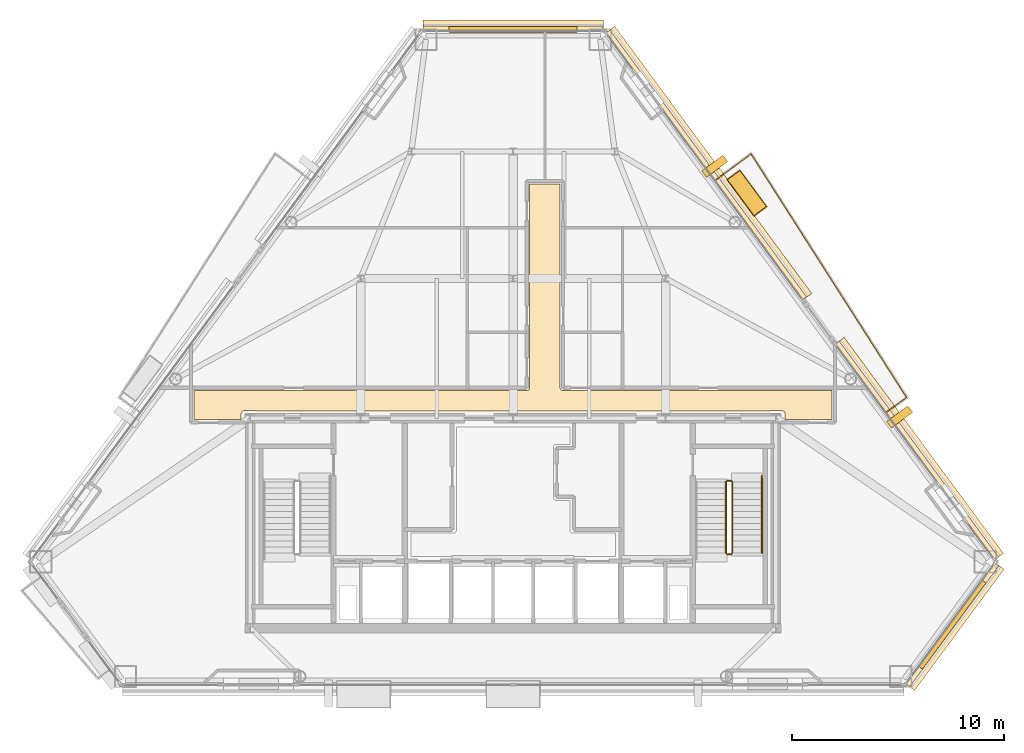
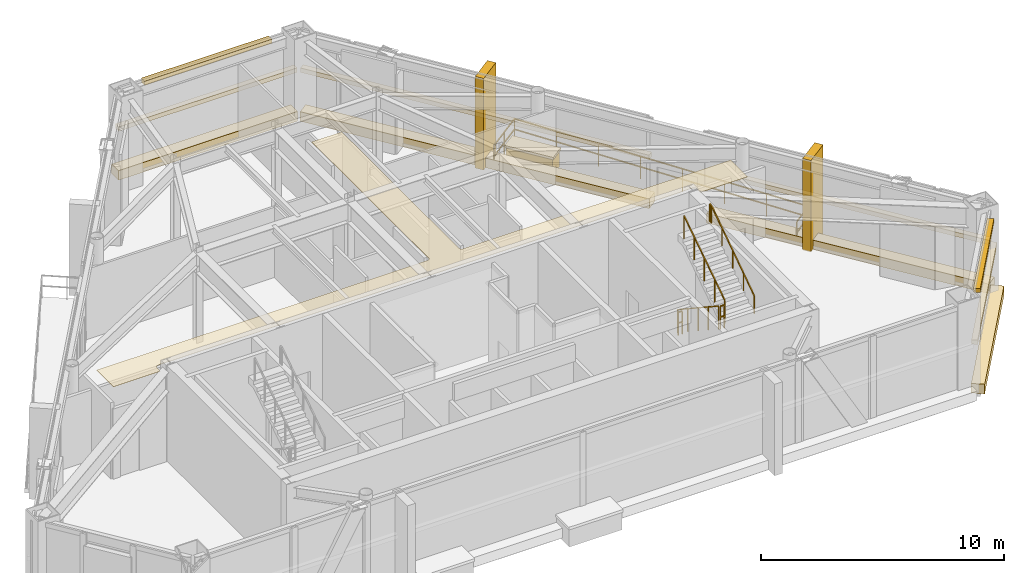
# One storey, part 10 of 10: 13 coverings, 6 railings, 2 shading devices.
"""IFC4 building model written with IfcOpenShell, lengths in metres."""

from ifc_helpers import new_model, si_unit, direction, frame, origin, origin_2d, place, context, subcontext, project, spatial, polyline, rectangle, outline, extrude, source, transform, mapped, material, layer, layer_set, type_object, type_shapes, element, save


model = new_model("IFC4")

# Units and contexts
model_context = context("Model", 3, precision=1e-05, world=origin(), true_north=direction((0.0, 1.0)))
body_context = subcontext(model_context, "Body", "Model", "MODEL_VIEW")
ifc_project = project(units=[si_unit("LENGTHUNIT", "METRE"), si_unit("AREAUNIT", "SQUARE_METRE"), si_unit("VOLUMEUNIT", "CUBIC_METRE"), si_unit("PLANEANGLEUNIT", "RADIAN"), si_unit("MASSUNIT", "GRAM", prefix="KILO")], contexts=[model_context])

# Site, building, storey
site_placement = place(None, origin())
site = spatial("IfcSite", under=ifc_project, at=site_placement, CompositionType="ELEMENT")
building_placement = place(site_placement, origin())
building = spatial("IfcBuilding", under=site, at=building_placement, Name="Talgorran Terracotta Tower", CompositionType="ELEMENT")
storey_placement = place(building_placement, frame((0.0, 0.0, 173.699951171875)))
storey = spatial("IfcBuildingStorey", under=building, at=storey_placement, Name="L45", CompositionType="ELEMENT", Elevation=173.699951171875)

# Coverings
ifc_material_1 = material(Name="Kiln-Fired Terracotta Ochre Ceramic", Category="masonry")
ifc_layer_1 = layer(ifc_material_1, 0.179931640625, Name="COV_BAGUETTE_TERRACOTTA_SCREEN")
ifc_layer_set_1 = layer_set([ifc_layer_1], Name="Kiln-Fired Terracotta Ochre Ceramic")
covering_type_1 = type_object("IfcCoveringType", Name="COV_BAGUETTE_TERRACOTTA_SCREEN", PredefinedType="CLADDING", material=ifc_layer_set_1)
covering_1_placement = place(storey_placement, frame((20.727294921875, -13.937255859375, 2.41015625), z_axis=(0.0, 0.0, 1.0), x_axis=(0.593489124579, 0.804842008724, 0.0)))
element("IfcCovering", 1, at=covering_1_placement, inside=storey, type_object=covering_type_1, Name="L45 Terracotta Baguette Solar Screen Assembly F2", PredefinedType="CLADDING", context=body_context, shape_type="SweptSolid", body=[
    extrude(rectangle(XDim=7.08544921875, YDim=0.260009765625, at=origin_2d()), origin(), (0.0, 0.0, 1.0), 0.219970703125),
])
covering_2_placement = place(storey_placement, frame((19.05126953125, -5.730224609375, 2.41015625), z_axis=(0.0, 0.0, 1.0), x_axis=(-0.593489124579, 0.804842008724, 0.0)))
element("IfcCovering", 2, at=covering_2_placement, inside=storey, type_object=covering_type_1, Name="L45 Terracotta Baguette Solar Screen Assembly F40", PredefinedType="CLADDING", context=body_context, shape_type="SweptSolid", body=[
    extrude(rectangle(XDim=12.65380859375, YDim=0.260009765625, at=origin_2d()), origin(), (0.0, 0.0, 1.0), 0.219970703125),
])
covering_3_placement = place(storey_placement, frame((9.107421875, 7.75439453125, 2.41015625), z_axis=(0.0, 0.0, 1.0), x_axis=(-0.593489124579, 0.804842008724, 0.0)))
element("IfcCovering", 3, at=covering_3_placement, inside=storey, type_object=covering_type_1, Name="L45 Terracotta Baguette Solar Screen Assembly F41", PredefinedType="CLADDING", context=body_context, shape_type="SweptSolid", body=[
    extrude(rectangle(XDim=15.6552734375, YDim=0.260009765625, at=origin_2d()), origin(), (0.0, 0.0, 1.0), 0.219970703125),
])
covering_4_placement = place(storey_placement, frame((0.0, 14.18359375, 2.41015625), z_axis=(0.0, 0.0, 1.0), x_axis=(-1.0, 0.0, 0.0)))
element("IfcCovering", 4, at=covering_4_placement, inside=storey, type_object=covering_type_1, Name="L45 Terracotta Baguette Solar Screen Assembly F4", PredefinedType="CLADDING", context=body_context, shape_type="SweptSolid", body=[
    extrude(rectangle(XDim=8.4921875, YDim=0.260009765625, at=origin_2d()), origin(), (0.0, 0.0, 1.0), 0.219970703125),
])
ifc_material_2 = material(Name="Mineral Fibre Acoustic Tile")
ifc_layer_2 = layer(ifc_material_2, 0.02490234375, Name="COV_CEIL_ACOUSTIC")
ifc_layer_set_2 = layer_set([ifc_layer_2], Name="Mineral Fibre Acoustic Tile")
covering_type_2 = type_object("IfcCoveringType", Name="COV_CEIL_ACOUSTIC", PredefinedType="CEILING", material=ifc_layer_set_2)
covering_5_placement = place(storey_placement, frame((0.0, 0.0, 4.4599609375)))
element("IfcCovering", 5, at=covering_5_placement, inside=storey, type_object=covering_type_2, Name="CEIL-L45-2", PredefinedType="CEILING", context=body_context, shape_type="SweptSolid", body=[
    extrude(outline(polyline([(-12.68798828125, -3.844970703125), (-12.699951171875, -3.844970703125), (-12.711669921875, -3.845703125), (-12.723388671875, -3.847412109375), (-12.734619140625, -3.85009765625), (-12.742919921875, -3.8525390625), (-12.75390625, -3.8564453125), (-12.7646484375, -3.861572265625), (-12.77490234375, -3.86767578125), (-12.7841796875, -3.87451171875), (-12.79296875, -3.882568359375), (-12.80078125, -3.89111328125), (-12.806396484375, -3.89794921875), (-12.813720703125, -3.907470703125), (-12.819580078125, -3.91748046875), (-12.82470703125, -3.927978515625), (-12.82861328125, -3.939208984375), (-12.83154296875, -3.95068359375), (-12.833251953125, -3.962158203125), (-12.833984375, -3.97412109375), (-12.834716796875, -4.264892578125), (-15.06494140625, -4.264892578125), (-15.06494140625, -2.885009765625), (0.64990234375, -2.885009765625), (0.66162109375, -2.884521484375), (0.67333984375, -2.8828125), (0.6845703125, -2.8798828125), (0.69287109375, -2.87744140625), (0.7041015625, -2.87353515625), (0.714599609375, -2.868408203125), (0.724853515625, -2.8623046875), (0.734375, -2.85546875), (0.742919921875, -2.847412109375), (0.7509765625, -2.8388671875), (0.756591796875, -2.83203125), (0.763671875, -2.822509765625), (0.769775390625, -2.8125), (0.774658203125, -2.8017578125), (0.77880859375, -2.79052734375), (0.781494140625, -2.779296875), (0.783203125, -2.767578125), (0.783935546875, -2.755615234375), (0.784912109375, 6.864990234375), (2.215087890625, 6.864990234375), (2.215087890625, -2.75), (2.215576171875, -2.76171875), (2.21728515625, -2.773193359375), (2.22021484375, -2.78466796875), (2.22265625, -2.79296875), (2.2265625, -2.803955078125), (2.231689453125, -2.814697265625), (2.237548828125, -2.82470703125), (2.24462890625, -2.834228515625), (2.25244140625, -2.843017578125), (2.26123046875, -2.850830078125), (2.26806640625, -2.8564453125), (2.277587890625, -2.863525390625), (2.28759765625, -2.86962890625), (2.29833984375, -2.874755859375), (2.309326171875, -2.878662109375), (2.32080078125, -2.881591796875), (2.33251953125, -2.88330078125), (2.34423828125, -2.8837890625), (15.06494140625, -2.885009765625), (15.06494140625, -4.264892578125), (12.8349609375, -4.264892578125), (12.834716796875, -3.97705078125), (12.833984375, -3.96533203125), (12.83251953125, -3.95361328125), (12.82958984375, -3.9423828125), (12.82568359375, -3.931396484375), (12.820556640625, -3.920654296875), (12.81640625, -3.9130859375), (12.810302734375, -3.90283203125), (12.803466796875, -3.893310546875), (12.79541015625, -3.884521484375), (12.78662109375, -3.876708984375), (12.777099609375, -3.86962890625), (12.76708984375, -3.863525390625), (12.75927734375, -3.859375), (12.748779296875, -3.8544921875), (12.73779296875, -3.8505859375), (12.7265625, -3.84765625), (12.715087890625, -3.845947265625), (12.703369140625, -3.84521484375), (12.6884765625, -3.84521484375), (12.6865234375, -3.84423828125), (12.67578125, -3.839111328125), (12.664794921875, -3.835205078125), (12.6533203125, -3.832275390625), (12.641845703125, -3.83056640625), (12.6298828125, -3.830078125), (12.169921875, -3.830078125), (12.158203125, -3.83056640625), (12.146484375, -3.832275390625), (12.13525390625, -3.835205078125), (12.1240234375, -3.839111328125), (12.11328125, -3.84423828125), (12.112060546875, -3.844970703125), (7.432861328125, -3.844970703125), (6.968017578125, -3.843017578125), (6.967529296875, -3.843017578125), (0.232666015625, -3.844970703125), (-0.23193359375, -3.843017578125), (-0.232421875, -3.843017578125), (-6.96728515625, -3.844970703125), (-7.431884765625, -3.843017578125), (-7.4326171875, -3.843017578125), (-12.112060546875, -3.844970703125), (-12.11328125, -3.84423828125), (-12.1240234375, -3.839111328125), (-12.13525390625, -3.835205078125), (-12.146484375, -3.832275390625), (-12.158203125, -3.83056640625), (-12.169921875, -3.830078125), (-12.6298828125, -3.830078125), (-12.641845703125, -3.83056640625), (-12.6533203125, -3.832275390625), (-12.664794921875, -3.835205078125), (-12.67578125, -3.839111328125), (-12.6865234375, -3.84423828125), (-12.68798828125, -3.844970703125)])), origin(), (0.0, 0.0, 1.0), 0.02001953125),
])
ifc_material_3 = material(Name="Honed Limestone and Terracotta Planter", Category="masonry")
ifc_layer_3 = layer(ifc_material_3, 0.1201171875, Name="COV_PLANTER_BOX")
ifc_layer_set_3 = layer_set([ifc_layer_3], Name="Honed Limestone and Terracotta Planter")
covering_type_3 = type_object("IfcCoveringType", Name="COV_PLANTER_BOX", PredefinedType="CLADDING", material=ifc_layer_set_3)
covering_6_placement = place(storey_placement, frame((11.03857421875, 6.43310546875, -0.02001953125), z_axis=(0.0, 0.0, 1.0), x_axis=(-0.593489124579, 0.804842008724, 0.0)))
element("IfcCovering", 6, at=covering_6_placement, inside=storey, type_object=covering_type_3, Name="L45 Staggered Balcony Planter Box BAL-NE", PredefinedType="CLADDING", context=body_context, shape_type="SweptSolid", body=[
    extrude(rectangle(XDim=2.10009765625, YDim=0.719970703125, at=origin_2d()), origin(), (0.0, 0.0, 1.0), 0.860107421875),
])
ifc_material_4 = material(Name="Kiln-Fired Terracotta Planter Rim", Category="masonry")
ifc_layer_4 = layer(ifc_material_4, 0.10009765625, Name="COV_PLANTER_RIM")
ifc_layer_set_4 = layer_set([ifc_layer_4], Name="Kiln-Fired Terracotta Planter Rim")
covering_type_4 = type_object("IfcCoveringType", Name="COV_PLANTER_RIM", PredefinedType="CLADDING", material=ifc_layer_set_4)
covering_7_placement = place(storey_placement, frame((11.03857421875, 6.43310546875, 0.800048828125), z_axis=(0.0, 0.0, 1.0), x_axis=(-0.593489124579, 0.804842008724, 0.0)))
element("IfcCovering", 7, at=covering_7_placement, inside=storey, type_object=covering_type_4, Name="L45 Balcony Planter Terracotta Rim BAL-NE", PredefinedType="CLADDING", context=body_context, shape_type="SweptSolid", body=[
    extrude(rectangle(XDim=2.179931640625, YDim=0.780029296875, at=origin_2d()), origin(), (0.0, 0.0, 1.0), 0.1201171875),
])
ifc_material_5 = material(Name="Honed Limestone Cladding", Category="masonry")
ifc_layer_5 = layer(ifc_material_5, 0.094970703125, Name="COV_PORTAL_LIME")
ifc_layer_set_5 = layer_set([ifc_layer_5], Name="Honed Limestone Cladding")
covering_type_5 = type_object("IfcCoveringType", Name="COV_PORTAL_LIME", PredefinedType="CLADDING", material=ifc_layer_set_5)
covering_8_placement = place(storey_placement, frame((18.24609375, -4.133056640625, -0.050048828125), z_axis=(0.0, 0.0, 1.0), x_axis=(-0.593489124579, 0.804842008724, 0.0)))
element("IfcCovering", 8, at=covering_8_placement, inside=storey, type_object=covering_type_5, Name="L45 White Striped Portal Fin F3-1", PredefinedType="CLADDING", context=body_context, shape_type="SweptSolid", body=[
    extrude(rectangle(XDim=0.3798828125, YDim=1.25, at=origin_2d()), origin(), (0.0, 0.0, 1.0), 4.60009765625),
])
ifc_material_6 = material(Name="Kiln-Fired Terracotta Cladding", Category="masonry")
ifc_layer_6 = layer(ifc_material_6, 0.090087890625, Name="COV_PORTAL_TERRA")
ifc_layer_set_6 = layer_set([ifc_layer_6], Name="Kiln-Fired Terracotta Cladding")
covering_type_6 = type_object("IfcCoveringType", Name="COV_PORTAL_TERRA", PredefinedType="CLADDING", material=ifc_layer_set_6)
covering_9_placement = place(storey_placement, frame((20.840087890625, -14.0205078125, -0.0400390625), z_axis=(0.0, 0.0, 1.0), x_axis=(0.593489124579, 0.804842008724, 0.0)))
element("IfcCovering", 9, at=covering_9_placement, inside=storey, type_object=covering_type_6, Name="L45 Striped Postmodern Portal Cladding Band F2", PredefinedType="CLADDING", context=body_context, shape_type="SweptSolid", body=[
    extrude(rectangle(XDim=7.10546875, YDim=0.56005859375, at=origin_2d()), origin(), (0.0, 0.0, 1.0), 0.47998046875),
])
covering_10_placement = place(storey_placement, frame((19.163818359375, -5.647216796875, -0.0400390625), z_axis=(0.0, 0.0, 1.0), x_axis=(-0.593489124579, 0.804842008724, 0.0)))
element("IfcCovering", 10, at=covering_10_placement, inside=storey, type_object=covering_type_6, Name="L45 Striped Postmodern Portal Cladding Band F40", PredefinedType="CLADDING", context=body_context, shape_type="SweptSolid", body=[
    extrude(rectangle(XDim=12.673583984375, YDim=0.56005859375, at=origin_2d()), origin(), (0.0, 0.0, 1.0), 0.47998046875),
])
covering_11_placement = place(storey_placement, frame((9.22021484375, 7.83740234375, -0.0400390625), z_axis=(0.0, 0.0, 1.0), x_axis=(-0.593489124579, 0.804842008724, 0.0)))
element("IfcCovering", 11, at=covering_11_placement, inside=storey, type_object=covering_type_6, Name="L45 Striped Postmodern Portal Cladding Band F41", PredefinedType="CLADDING", context=body_context, shape_type="SweptSolid", body=[
    extrude(rectangle(XDim=15.67529296875, YDim=0.56005859375, at=origin_2d()), origin(), (0.0, 0.0, 1.0), 0.47998046875),
])
covering_12_placement = place(storey_placement, frame((0.0, 14.323486328125, -0.0400390625), z_axis=(0.0, 0.0, 1.0), x_axis=(-1.0, 0.0, 0.0)))
element("IfcCovering", 12, at=covering_12_placement, inside=storey, type_object=covering_type_6, Name="L45 Striped Postmodern Portal Cladding Band F4", PredefinedType="CLADDING", context=body_context, shape_type="SweptSolid", body=[
    extrude(rectangle(XDim=8.51220703125, YDim=0.56005859375, at=origin_2d()), origin(), (0.0, 0.0, 1.0), 0.47998046875),
])
covering_13_placement = place(storey_placement, frame((9.521240234375, 7.69873046875, -0.050048828125), z_axis=(0.0, 0.0, 1.0), x_axis=(-0.593489124579, 0.804842008724, 0.0)))
element("IfcCovering", 13, at=covering_13_placement, inside=storey, type_object=covering_type_6, Name="L45 Terracotta Striped Portal Fin F3-2", PredefinedType="CLADDING", context=body_context, shape_type="SweptSolid", body=[
    extrude(rectangle(XDim=0.3798828125, YDim=1.25, at=origin_2d()), origin(), (0.0, 0.0, 1.0), 4.60009765625),
])

# Railings
ifc_material_7 = material(Name="Laminated Glass and Stainless Steel 316", Category="steel")
railing_type_1 = type_object("IfcRailingType", Name="RL_BALCONY_1150", PredefinedType="BALUSTRADE", material=ifc_material_7)
railing_1_placement = place(storey_placement, frame((17.6142578125, -3.91650390625, 0.0)))
element("IfcRailing", 14, at=railing_1_placement, inside=storey, type_object=railing_type_1, Name="RL-L45-BAL-BAL-NE", PredefinedType="BALUSTRADE", context=body_context, shape_type="SweptSolid", body=[
    extrude(rectangle(XDim=0.048095703125, YDim=0.048095703125, at=origin_2d()), frame((0.0, 0.0, 1.1259765625), z_axis=(0.804859386829, 0.593465557074, 0.0), x_axis=(-0.593465557074, 0.804859386829, 0.0)), (0.0, 0.0, 1.0), 1.187255859375),
    extrude(rectangle(XDim=0.048095703125, YDim=0.048095703125, at=origin_2d()), frame((0.0, 0.0, 0.597900390625), z_axis=(0.804859386829, 0.593465557074, 0.0), x_axis=(-0.593465557074, 0.804859386829, 0.0)), (0.0, 0.0, 1.0), 1.187255859375),
    extrude(rectangle(XDim=0.048095703125, YDim=0.048095703125, at=origin_2d()), frame((0.95556640625, 0.70458984375, 1.1259765625), z_axis=(-0.538102049263, 0.842879697572, 0.0), x_axis=(-0.842879697572, -0.538102049263, 0.0)), (0.0, 0.0, 1.0), 13.633056640625),
    extrude(rectangle(XDim=0.048095703125, YDim=0.048095703125, at=origin_2d()), frame((0.95556640625, 0.70458984375, 0.597900390625), z_axis=(-0.538102049263, 0.842879697572, 0.0), x_axis=(-0.842879697572, -0.538102049263, 0.0)), (0.0, 0.0, 1.0), 13.633056640625),
    extrude(rectangle(XDim=0.048095703125, YDim=0.048095703125, at=origin_2d()), frame((-6.38037109375, 12.195556640625, 1.1259765625), z_axis=(-0.804877778943, -0.593440612836, 0.0), x_axis=(0.593440612836, -0.804877778943, 0.0)), (0.0, 0.0, 1.0), 2.1025390625),
    extrude(rectangle(XDim=0.048095703125, YDim=0.048095703125, at=origin_2d()), frame((-6.38037109375, 12.195556640625, 0.597900390625), z_axis=(-0.804877778943, -0.593440612836, 0.0), x_axis=(0.593440612836, -0.804877778943, 0.0)), (0.0, 0.0, 1.0), 2.1025390625),
    extrude(rectangle(XDim=0.0419921875, YDim=0.0419921875, at=origin_2d()), origin(), (0.0, 0.0, 1.0), 1.101806640625),
    extrude(rectangle(XDim=0.0419921875, YDim=0.0419921875, at=origin_2d()), frame((0.95556640625, 0.70458984375, 0.0)), (0.0, 0.0, 1.0), 1.101806640625),
    extrude(rectangle(XDim=0.0419921875, YDim=0.0419921875, at=origin_2d()), frame((-0.092529296875, 2.34619140625, 0.0)), (0.0, 0.0, 1.0), 1.101806640625),
    extrude(rectangle(XDim=0.0419921875, YDim=0.0419921875, at=origin_2d()), frame((-1.140380859375, 3.98779296875, 0.0)), (0.0, 0.0, 1.0), 1.101806640625),
    extrude(rectangle(XDim=0.0419921875, YDim=0.0419921875, at=origin_2d()), frame((-2.1884765625, 5.62939453125, 0.0)), (0.0, 0.0, 1.0), 1.101806640625),
    extrude(rectangle(XDim=0.0419921875, YDim=0.0419921875, at=origin_2d()), frame((-3.236328125, 7.270751953125, 0.0)), (0.0, 0.0, 1.0), 1.101806640625),
    extrude(rectangle(XDim=0.0419921875, YDim=0.0419921875, at=origin_2d()), frame((-4.284423828125, 8.912353515625, 0.0)), (0.0, 0.0, 1.0), 1.101806640625),
    extrude(rectangle(XDim=0.0419921875, YDim=0.0419921875, at=origin_2d()), frame((-5.332275390625, 10.553955078125, 0.0)), (0.0, 0.0, 1.0), 1.101806640625),
    extrude(rectangle(XDim=0.0419921875, YDim=0.0419921875, at=origin_2d()), frame((-6.38037109375, 12.195556640625, 0.0)), (0.0, 0.0, 1.0), 1.101806640625),
    extrude(rectangle(XDim=0.0419921875, YDim=0.0419921875, at=origin_2d()), frame((-7.2265625, 11.57177734375, 0.0)), (0.0, 0.0, 1.0), 1.101806640625),
    extrude(rectangle(XDim=0.0419921875, YDim=0.0419921875, at=origin_2d()), frame((-8.07275390625, 10.94775390625, 0.0)), (0.0, 0.0, 1.0), 1.101806640625),
])
ifc_material_8 = material(Name="Steel S355 (300PLUS)", Category="steel")
railing_type_2 = type_object("IfcRailingType", Name="RL_HANDRAIL_920", PredefinedType="HANDRAIL", material=ifc_material_8)
railing_2_placement = place(storey_placement, frame((11.75, -10.56005859375, 2.584716796875)))
element("IfcRailing", 15, at=railing_2_placement, inside=storey, type_object=railing_type_2, Name="L45 ST-02 stair handrail 2", PredefinedType="HANDRAIL", context=body_context, shape_type="SweptSolid", body=[
    extrude(rectangle(XDim=0.048095703125, YDim=0.048095703125, at=origin_2d()), frame((0.0, 0.0, 0.89599609375), z_axis=(0.0, 0.827721979786, 0.561138418021), x_axis=(-1.0, 0.0, 0.0)), (0.0, 0.0, 1.0), 4.27685546875),
    extrude(rectangle(XDim=0.048095703125, YDim=0.048095703125, at=origin_2d()), frame((0.0, 3.5400390625, 3.2958984375), z_axis=(0.0, 1.0, 0.0), x_axis=(-1.0, 0.0, 0.0)), (0.0, 0.0, 1.0), 0.1201171875),
    extrude(rectangle(XDim=0.0419921875, YDim=0.0419921875, at=origin_2d()), origin(), (0.0, 0.0, 1.0), 0.871826171875),
    extrude(rectangle(XDim=0.0419921875, YDim=0.0419921875, at=origin_2d()), frame((0.0, 0.885009765625, 0.60009765625)), (0.0, 0.0, 1.0), 0.871826171875),
    extrude(rectangle(XDim=0.0419921875, YDim=0.0419921875, at=origin_2d()), frame((0.0, 1.77001953125, 1.199951171875)), (0.0, 0.0, 1.0), 0.871826171875),
    extrude(rectangle(XDim=0.0419921875, YDim=0.0419921875, at=origin_2d()), frame((0.0, 2.655029296875, 1.7998046875)), (0.0, 0.0, 1.0), 0.871826171875),
    extrude(rectangle(XDim=0.0419921875, YDim=0.0419921875, at=origin_2d()), frame((0.0, 3.5400390625, 2.39990234375)), (0.0, 0.0, 1.0), 0.871826171875),
    extrude(rectangle(XDim=0.0419921875, YDim=0.0419921875, at=origin_2d()), frame((0.0, 3.66015625, 2.39990234375)), (0.0, 0.0, 1.0), 0.871826171875),
])
railing_type_3 = type_object("IfcRailingType", Name="RL_STAIR_GUARD", PredefinedType="GUARDRAIL", material=ifc_material_8)
railing_3_placement = place(storey_placement, frame((10.050048828125, -7.199951171875, 0.1845703125)))
element("IfcRailing", 16, at=railing_3_placement, inside=storey, type_object=railing_type_3, Name="L45 ST-02 stair guard 1", PredefinedType="GUARDRAIL", context=body_context, shape_type="SweptSolid", body=[
    extrude(rectangle(XDim=0.048095703125, YDim=0.048095703125, at=origin_2d()), frame((0.0, 0.0, 1.15576171875), z_axis=(0.0, -0.834848600103, 0.550479622607), x_axis=(1.0, 0.0, 0.0)), (0.0, 0.0, 1.0), 4.02490234375),
    extrude(rectangle(XDim=0.0419921875, YDim=0.0419921875, at=origin_2d()), origin(), (0.0, 0.0, 1.0), 1.1318359375),
    extrude(rectangle(XDim=0.0419921875, YDim=0.0419921875, at=origin_2d()), frame((0.0, -0.840087890625, 0.553955078125)), (0.0, 0.0, 1.0), 1.1318359375),
    extrude(rectangle(XDim=0.0419921875, YDim=0.0419921875, at=origin_2d()), frame((0.0, -1.68017578125, 1.10791015625)), (0.0, 0.0, 1.0), 1.1318359375),
    extrude(rectangle(XDim=0.0419921875, YDim=0.0419921875, at=origin_2d()), frame((0.0, -2.52001953125, 1.66162109375)), (0.0, 0.0, 1.0), 1.1318359375),
    extrude(rectangle(XDim=0.0419921875, YDim=0.0419921875, at=origin_2d()), frame((0.0, -3.360107421875, 2.215576171875)), (0.0, 0.0, 1.0), 1.1318359375),
])
railing_4_placement = place(storey_placement, frame((10.10009765625, -10.610107421875, 2.400146484375)))
element("IfcRailing", 17, at=railing_4_placement, inside=storey, type_object=railing_type_3, Name="L45 ST-02 stair guard 2", PredefinedType="GUARDRAIL", context=body_context, shape_type="SweptSolid", body=[
    extrude(rectangle(XDim=0.048095703125, YDim=0.048095703125, at=origin_2d()), frame((0.0, 0.0, 1.15576171875), z_axis=(1.0, 0.0, 0.0), x_axis=(0.0, 1.0, 0.0)), (0.0, 0.0, 1.0), 0.199951171875),
    extrude(rectangle(XDim=0.048095703125, YDim=0.048095703125, at=origin_2d()), frame((0.0, 0.0, 0.613525390625), z_axis=(1.0, 0.0, 0.0), x_axis=(0.0, 1.0, 0.0)), (0.0, 0.0, 1.0), 0.199951171875),
    extrude(rectangle(XDim=0.0419921875, YDim=0.0419921875, at=origin_2d()), origin(), (0.0, 0.0, 1.0), 1.1318359375),
    extrude(rectangle(XDim=0.0419921875, YDim=0.0419921875, at=origin_2d()), frame((0.199951171875, 0.0, 0.0)), (0.0, 0.0, 1.0), 1.1318359375),
])
railing_5_placement = place(storey_placement, frame((10.35009765625, -10.56005859375, 2.584716796875)))
element("IfcRailing", 18, at=railing_5_placement, inside=storey, type_object=railing_type_3, Name="L45 ST-02 stair guard 3", PredefinedType="GUARDRAIL", context=body_context, shape_type="SweptSolid", body=[
    extrude(rectangle(XDim=0.048095703125, YDim=0.048095703125, at=origin_2d()), frame((0.0, 0.0, 1.15576171875), z_axis=(0.0, 0.834876476806, 0.550437342915), x_axis=(-1.0, 0.0, 0.0)), (0.0, 0.0, 1.0), 4.024658203125),
    extrude(rectangle(XDim=0.0419921875, YDim=0.0419921875, at=origin_2d()), origin(), (0.0, 0.0, 1.0), 1.1318359375),
    extrude(rectangle(XDim=0.0419921875, YDim=0.0419921875, at=origin_2d()), frame((0.0, 0.840087890625, 0.5537109375)), (0.0, 0.0, 1.0), 1.1318359375),
    extrude(rectangle(XDim=0.0419921875, YDim=0.0419921875, at=origin_2d()), frame((0.0, 1.68017578125, 1.107666015625)), (0.0, 0.0, 1.0), 1.1318359375),
    extrude(rectangle(XDim=0.0419921875, YDim=0.0419921875, at=origin_2d()), frame((0.0, 2.52001953125, 1.66162109375)), (0.0, 0.0, 1.0), 1.1318359375),
    extrude(rectangle(XDim=0.0419921875, YDim=0.0419921875, at=origin_2d()), frame((0.0, 3.360107421875, 2.21533203125)), (0.0, 0.0, 1.0), 1.1318359375),
])
railing_6_placement = place(storey_placement, frame((10.10009765625, -7.14990234375, 0.0)))
element("IfcRailing", 19, at=railing_6_placement, inside=storey, type_object=railing_type_3, Name="L45 ST-02 stair guard 4", PredefinedType="GUARDRAIL", context=body_context, shape_type="SweptSolid", body=[
    extrude(rectangle(XDim=0.048095703125, YDim=0.048095703125, at=origin_2d()), frame((0.0, 0.0, 1.15576171875), z_axis=(1.0, 0.0, 0.0), x_axis=(0.0, 1.0, 0.0)), (0.0, 0.0, 1.0), 0.199951171875),
    extrude(rectangle(XDim=0.048095703125, YDim=0.048095703125, at=origin_2d()), frame((0.0, 0.0, 0.613525390625), z_axis=(1.0, 0.0, 0.0), x_axis=(0.0, 1.0, 0.0)), (0.0, 0.0, 1.0), 0.199951171875),
    extrude(rectangle(XDim=0.0419921875, YDim=0.0419921875, at=origin_2d()), origin(), (0.0, 0.0, 1.0), 1.1318359375),
    extrude(rectangle(XDim=0.0419921875, YDim=0.0419921875, at=origin_2d()), frame((0.199951171875, 0.0, 0.0)), (0.0, 0.0, 1.0), 1.1318359375),
])

# Shading devices
ifc_material_9 = material(Name="Kiln-Fired Terracotta", Category="masonry")
ifc_layer_7 = layer(ifc_material_9, 0.280029296875, Name="SHD_SUNSHADE_TERRA")
ifc_layer_set_7 = layer_set([ifc_layer_7], Name="Kiln-Fired Terracotta")
shading_device_type = type_object("IfcShadingDeviceType", Name="SHD_SUNSHADE_TERRA", PredefinedType="AWNING", material=ifc_layer_set_7)
shared_shape_1 = source(origin(), body_context, "Body", "SweptSolid", [
    extrude(rectangle(XDim=5.057861328125, YDim=0.280029296875, at=origin_2d()), origin(), (0.0, 0.0, 1.0), 0.199951171875),
])
shading_device_1_placement = place(storey_placement, frame((20.711181640625, -13.92529296875, 4.31005859375), z_axis=(0.0, 0.0, 1.0), x_axis=(0.593489124579, 0.804842008724, 0.0)))
element("IfcShadingDevice", 20, at=shading_device_1_placement, inside=storey, type_object=shading_device_type, Name="SHD-BROW-L45-F2", PredefinedType="AWNING", context=body_context, shape_type="MappedRepresentation", body=[
    mapped(shared_shape_1, transform((0.0, 0.0, 0.0), scale=1.0)),
])
shared_shape_2 = source(origin(), body_context, "Body", "SweptSolid", [
    extrude(rectangle(XDim=6.04248046875, YDim=0.280029296875, at=origin_2d()), origin(), (0.0, 0.0, 1.0), 0.199951171875),
])
type_shapes(shading_device_type, [shared_shape_1, shared_shape_2])
shading_device_2_placement = place(storey_placement, frame((0.0, 14.16357421875, 4.31005859375), z_axis=(0.0, 0.0, 1.0), x_axis=(-1.0, 0.0, 0.0)))
element("IfcShadingDevice", 21, at=shading_device_2_placement, inside=storey, type_object=shading_device_type, Name="SHD-BROW-L45-F4", PredefinedType="AWNING", context=body_context, shape_type="MappedRepresentation", body=[
    mapped(shared_shape_2, transform((0.0, 0.0, 0.0), scale=1.0)),
])

save(model, "model.ifc")
